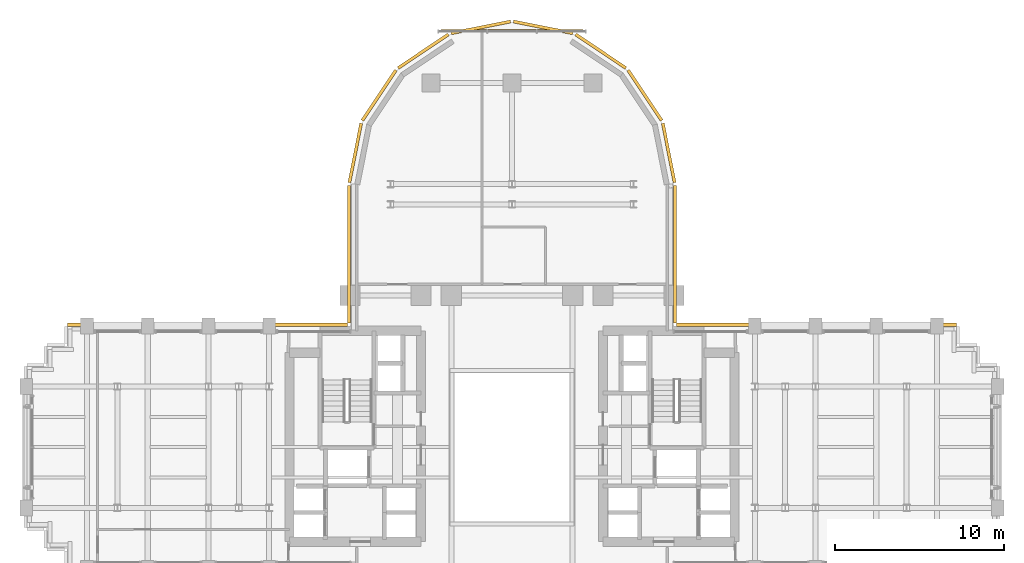
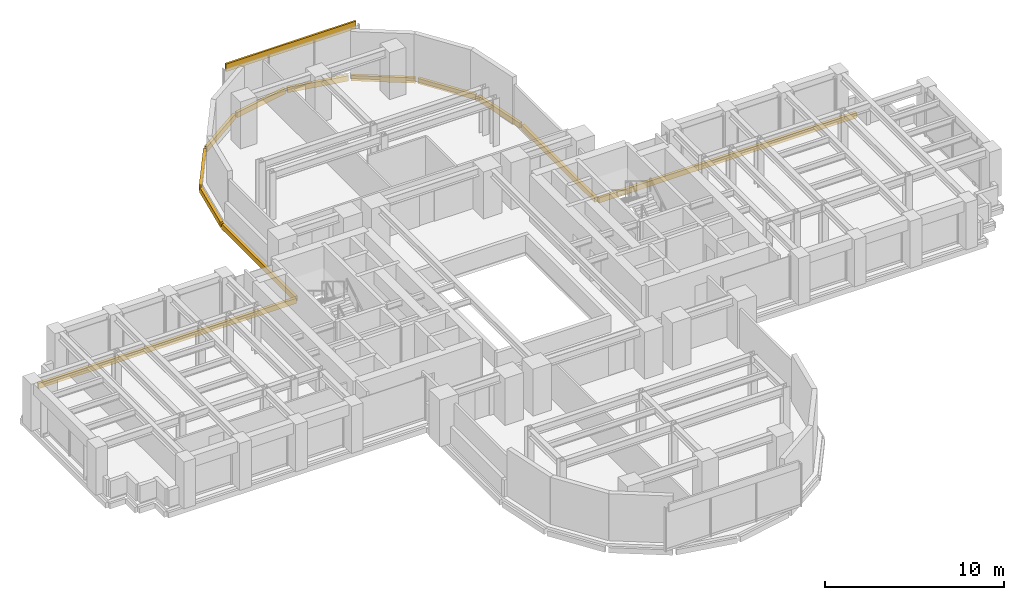
# One storey, part 16 of 16: 13 coverings.
"""IFC4 building model written with IfcOpenShell, lengths in metres."""

from ifc_helpers import new_model, si_unit, direction, frame, origin, origin_2d, place, context, subcontext, project, spatial, rectangle, extrude, source, transform, mapped, material, layer, layer_set, type_object, element, save


model = new_model("IFC4")

# Units and contexts
model_context = context("Model", 3, precision=1e-05, world=origin(), true_north=direction((0.0, 1.0)))
body_context = subcontext(model_context, "Body", "Model", "MODEL_VIEW")
ifc_project = project(units=[si_unit("LENGTHUNIT", "METRE"), si_unit("AREAUNIT", "SQUARE_METRE"), si_unit("VOLUMEUNIT", "CUBIC_METRE"), si_unit("PLANEANGLEUNIT", "RADIAN"), si_unit("MASSUNIT", "GRAM", prefix="KILO")], contexts=[model_context])

# Site, building, storey
site_placement = place(None, origin())
site = spatial("IfcSite", under=ifc_project, at=site_placement, CompositionType="ELEMENT")
building_placement = place(site_placement, origin())
building = spatial("IfcBuilding", under=site, at=building_placement, Name="Keilestroom Media Tower", CompositionType="ELEMENT")
storey_placement = place(building_placement, frame((0.0, 0.0, 37.39990234375)))
storey = spatial("IfcBuildingStorey", under=building, at=storey_placement, Name="L08", CompositionType="ELEMENT", Elevation=37.39990234375)

# Coverings
ifc_material = material(Name="Precast concrete C40/50", Category="concrete")
ifc_layer = layer(ifc_material, 0.1201171875)
ifc_layer_set = layer_set([ifc_layer], Name="Precast concrete C40/50")
covering_type = type_object("IfcCoveringType", Name="Exterior-Precast-Spandrel-Cladding-Panel-120", PredefinedType="CLADDING", material=ifc_layer_set)
shared_shape_1 = source(origin(), body_context, "Body", "SweptSolid", [
    extrude(rectangle(XDim=8.39990234375, YDim=0.1201171875, at=origin_2d()), origin(), (0.0, 0.0, 1.0), 0.52001953125),
])
covering_placement = place(storey_placement, frame((0.0, 24.719970703125, 2.690185546875), z_axis=(0.0, 0.0, 1.0), x_axis=(1.0, 0.0, 0.0)))
element("IfcCovering", 1, at=covering_placement, inside=storey, type_object=covering_type, Name="L08 Precast Spandrel Cladding N", PredefinedType="CLADDING", context=body_context, shape_type="MappedRepresentation", body=[
    mapped(shared_shape_1, transform((0.0, 0.0, 0.0), x_axis=(1.0, 0.0, 0.0), y_axis=(0.0, 1.0, 0.0), z_axis=(0.0, 0.0, 1.0), scale=1.0)),
])
shared_shape_2 = source(origin(), body_context, "Body", "SweptSolid", [
    extrude(rectangle(XDim=16.6201171875, YDim=0.179931640625, at=origin_2d()), origin(), (0.0, 0.0, 1.0), 0.360107421875),
])
for number, where, z_axis, x_axis, name in (
    (2, (-18.06005859375, 7.260009765625, -0.5400390625), (0.0, 0.0, 1.0), (1.0, 0.0, 0.0), "L08 Precast Slab-Edge Fascia Cornice 26"),
    (3, (18.06005859375, 7.260009765625, -0.5400390625), (0.0, 0.0, 1.0), (1.0, 0.0, 0.0), "L08 Precast Slab-Edge Fascia Cornice 37"),
):
    element("IfcCovering", number, at=place(storey_placement, frame(where, z_axis=z_axis, x_axis=x_axis)), inside=storey, type_object=covering_type, Name=name, PredefinedType="CLADDING", context=body_context, shape_type="MappedRepresentation", body=[
        mapped(shared_shape_2, transform((0.0, 0.0, 0.0), x_axis=(1.0, 0.0, 0.0), y_axis=(0.0, 1.0, 0.0), z_axis=(0.0, 0.0, 1.0), scale=1.0)),
    ])
shared_shape_3 = source(origin(), body_context, "Body", "SweptSolid", [
    extrude(rectangle(XDim=8.166015625, YDim=0.179931640625, at=origin_2d()), origin(), (0.0, 0.0, 1.0), 0.360107421875),
])
for number, where, z_axis, x_axis, name in (
    (4, (-9.659912109375, 11.43310546875, -0.5400390625), (0.0, 0.0, 1.0), (0.0, 1.0, 0.0), "L08 Precast Slab-Edge Fascia Cornice 27"),
    (5, (9.659912109375, 11.43310546875, -0.5400390625), (0.0, 0.0, 1.0), (0.0, -1.0, 0.0), "L08 Precast Slab-Edge Fascia Cornice 36"),
):
    element("IfcCovering", number, at=place(storey_placement, frame(where, z_axis=z_axis, x_axis=x_axis)), inside=storey, type_object=covering_type, Name=name, PredefinedType="CLADDING", context=body_context, shape_type="MappedRepresentation", body=[
        mapped(shared_shape_3, transform((0.0, 0.0, 0.0), x_axis=(1.0, 0.0, 0.0), y_axis=(0.0, 1.0, 0.0), z_axis=(0.0, 0.0, 1.0), scale=1.0)),
    ])
shared_shape_4 = source(origin(), body_context, "Body", "SweptSolid", [
    extrude(rectangle(XDim=3.58349609375, YDim=0.179931640625, at=origin_2d()), origin(), (0.0, 0.0, 1.0), 0.360107421875),
])
for number, where, z_axis, x_axis, name in (
    (6, (-9.29296875, 17.45166015625, -0.5400390625), (0.0, 0.0, 1.0), (0.195098880975, 0.980783577882, 0.0), "L08 Precast Slab-Edge Fascia Cornice 28"),
    (7, (9.29296875, 17.45166015625, -0.5400390625), (0.0, 0.0, 1.0), (0.195098880975, -0.980783577882, 0.0), "L08 Precast Slab-Edge Fascia Cornice 35"),
):
    element("IfcCovering", number, at=place(storey_placement, frame(where, z_axis=z_axis, x_axis=x_axis)), inside=storey, type_object=covering_type, Name=name, PredefinedType="CLADDING", context=body_context, shape_type="MappedRepresentation", body=[
        mapped(shared_shape_4, transform((0.0, 0.0, 0.0), x_axis=(1.0, 0.0, 0.0), y_axis=(0.0, 1.0, 0.0), z_axis=(0.0, 0.0, 1.0), scale=1.0)),
    ])
shared_shape_5 = source(origin(), body_context, "Body", "SweptSolid", [
    extrude(rectangle(XDim=3.589599609375, YDim=0.179931640625, at=origin_2d()), origin(), (0.0, 0.0, 1.0), 0.360107421875),
])
for number, where, z_axis, x_axis, name in (
    (8, (-7.878662109375, 20.8642578125, -0.5400390625), (0.0, 0.0, 1.0), (0.555574586577, 0.831466703332, 0.0), "L08 Precast Slab-Edge Fascia Cornice 29"),
    (9, (-5.264404296875, 23.478515625, -0.5400390625), (0.0, 0.0, 1.0), (0.831466703332, 0.555574586577, 0.0), "L08 Precast Slab-Edge Fascia Cornice 30"),
    (10, (-1.8486328125, 24.893310546875, -0.5400390625), (0.0, 0.0, 1.0), (0.980783577882, 0.195098880975, 0.0), "L08 Precast Slab-Edge Fascia Cornice 31"),
    (11, (1.8486328125, 24.893310546875, -0.5400390625), (0.0, 0.0, 1.0), (0.980783577882, -0.195098880975, 0.0), "L08 Precast Slab-Edge Fascia Cornice 32"),
    (12, (5.264404296875, 23.478515625, -0.5400390625), (0.0, 0.0, 1.0), (0.831466703332, -0.555574586577, 0.0), "L08 Precast Slab-Edge Fascia Cornice 33"),
    (13, (7.878662109375, 20.8642578125, -0.5400390625), (0.0, 0.0, 1.0), (0.555574586577, -0.831466703332, 0.0), "L08 Precast Slab-Edge Fascia Cornice 34"),
):
    element("IfcCovering", number, at=place(storey_placement, frame(where, z_axis=z_axis, x_axis=x_axis)), inside=storey, type_object=covering_type, Name=name, PredefinedType="CLADDING", context=body_context, shape_type="MappedRepresentation", body=[
        mapped(shared_shape_5, transform((0.0, 0.0, 0.0), x_axis=(1.0, 0.0, 0.0), y_axis=(0.0, 1.0, 0.0), z_axis=(0.0, 0.0, 1.0), scale=1.0)),
    ])

save(model, "model.ifc")
